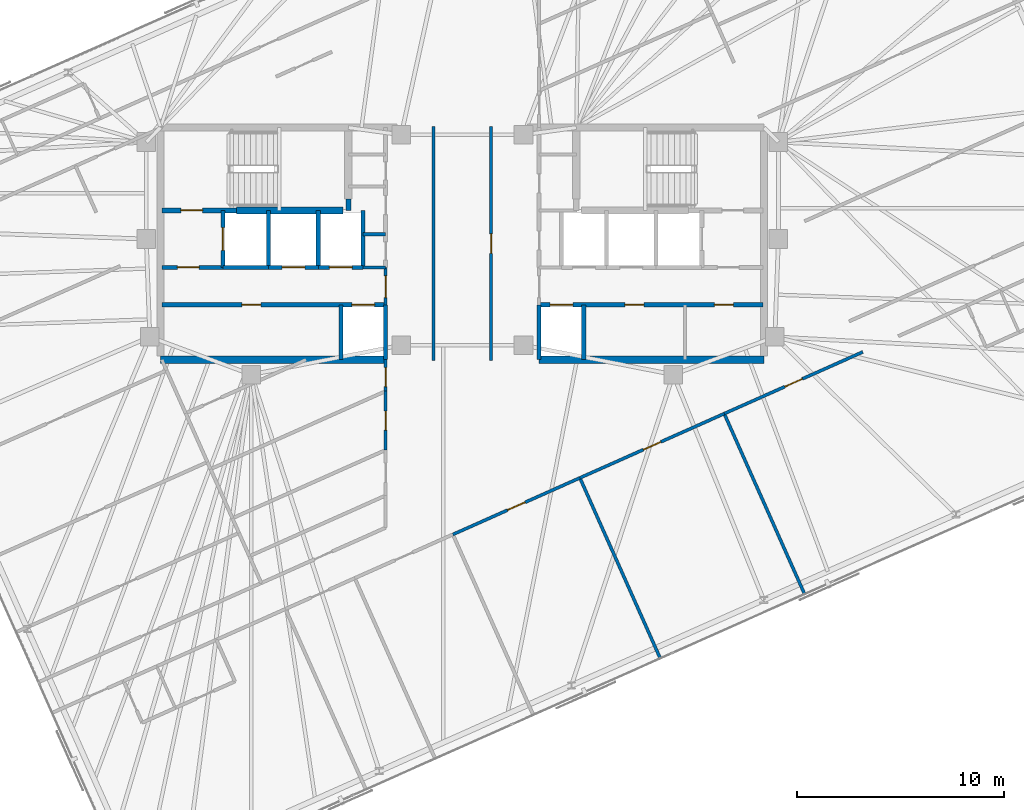
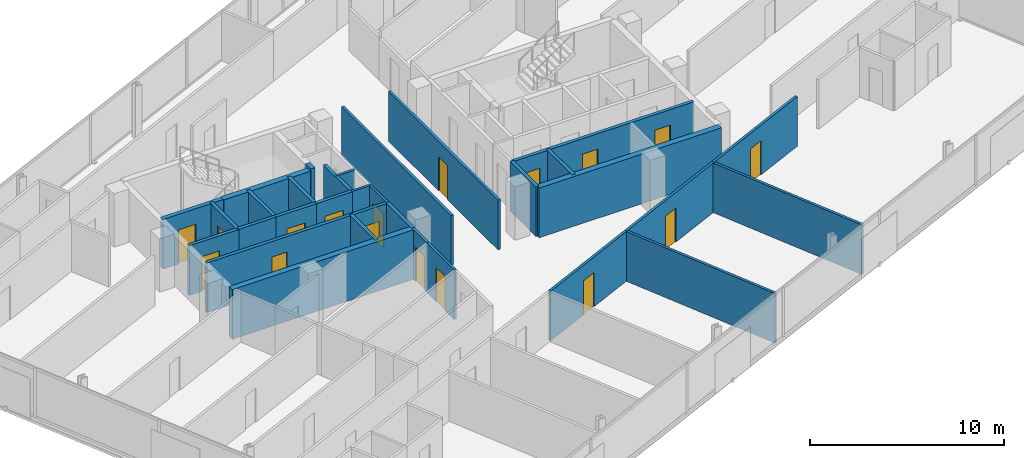
# One storey, part 14 of 19: 31 walls, 17 doors, 17 openings.
"""IFC4 building model written with IfcOpenShell, lengths in metres."""

from ifc_helpers import new_model, si_unit, direction, frame, frame_2d, origin, place, context, subcontext, project, spatial, rectangle, extrude, material, layer, layer_set, type_object, element, fill, save


model = new_model("IFC4")

# Units and contexts
model_context = context("Model", 3, precision=1e-05, world=origin(), true_north=direction((0.0, 1.0)))
body_context = subcontext(model_context, "Body", "Model", "MODEL_VIEW")
ifc_project = project(units=[si_unit("LENGTHUNIT", "METRE"), si_unit("AREAUNIT", "SQUARE_METRE"), si_unit("VOLUMEUNIT", "CUBIC_METRE"), si_unit("PLANEANGLEUNIT", "RADIAN"), si_unit("MASSUNIT", "GRAM", prefix="KILO")], contexts=[model_context])

# Site, building, storey
site_placement = place(None, origin())
site = spatial("IfcSite", under=ifc_project, at=site_placement, CompositionType="ELEMENT")
building_placement = place(site_placement, origin())
building = spatial("IfcBuilding", under=site, at=building_placement, Name="Menara Jurai Vektor", CompositionType="ELEMENT")
storey_placement = place(building_placement, frame((0.0, 0.0, 288.60009765625)))
storey = spatial("IfcBuildingStorey", under=building, at=storey_placement, Name="L77", CompositionType="ELEMENT", Elevation=288.60009765625)

# Wall, opening, door
ifc_material_1 = material(Name="Concrete C40/50", Category="concrete")
ifc_layer_1 = layer(ifc_material_1, 0.25)
ifc_layer_set_1 = layer_set([ifc_layer_1], Name="Concrete C40/50")
wall_type_1 = type_object("IfcWallType", Name="INT-WALL-CORE-250", PredefinedType="STANDARD", material=ifc_layer_set_1)
wall_1_placement = place(storey_placement, frame((-14.5, 1.60009765625, 0.0), z_axis=(0.0, 0.0, 1.0), x_axis=(1.0, 0.0, 0.0)))
wall_1 = element("IfcWall", 1, at=wall_1_placement, inside=storey, type_object=wall_type_1, Name="Interior Wall IW-250 L77", PredefinedType="STANDARD", context=body_context, shape_type="SweptSolid", body=[
    extrude(rectangle(XDim=3.60009765625, YDim=0.25, at=frame_2d((1.800048828125, 0.0))), origin(), (0.0, 0.0, 1.0), 3.125),
])
opening_1_placement = place(wall_1_placement, frame((0.919921875, 0.0, 0.0)))
opening_1 = element("IfcOpeningElement", 2, at=opening_1_placement, cuts=wall_1, Name="Opening D-L77-ST1", PredefinedType="OPENING", context=body_context, shape_type="SweptSolid", body=[
    extrude(rectangle(XDim=1.050048828125, YDim=2.14990234375, at=frame_2d((0.52490234375, 1.074951171875))), frame((0.0, 0.135009765625, 0.0), z_axis=(0.0, -1.0, 0.0), x_axis=(1.0, 0.0, 0.0)), (0.0, 0.0, 1.0), 0.27001953125),
])
ifc_material_2 = material(Name="Fire-Rated Steel Door", Category="steel")
door_type_1 = type_object("IfcDoorType", Name="DR-STAIR-1050", OperationType="NOTDEFINED", PredefinedType="DOOR", material=ifc_material_2)
door_1_placement = place(opening_1_placement, origin())
door_1 = element("IfcDoor", 3, at=door_1_placement, inside=storey, type_object=door_type_1, Name="Exit Stair ST1 Door L77", OperationType="SINGLE_SWING_RIGHT", OverallHeight=2.14990234375, OverallWidth=1.050048828125, PredefinedType="DOOR", context=body_context, shape_type="SweptSolid", body=[
    extrude(rectangle(XDim=1.050048828125, YDim=2.14990234375, at=frame_2d((0.52490234375, 1.074951171875))), frame((0.0, 0.02490234375, 0.0), z_axis=(0.0, -1.0, 0.0), x_axis=(1.0, 0.0, 0.0)), (0.0, 0.0, 1.0), 0.050048828125),
])
fill(opening_1, door_1)

# Wall
wall_2_placement = place(storey_placement, frame((-5.5, 1.60009765625, 0.0), z_axis=(0.0, 0.0, 1.0), x_axis=(0.0, 1.0, 0.0)))
element("IfcWall", 4, at=wall_2_placement, inside=storey, type_object=wall_type_1, Name="Interior Wall IW-250 L77", PredefinedType="STANDARD", context=body_context, shape_type="SweptSolid", body=[
    extrude(rectangle(XDim=0.5498046875, YDim=0.25, at=frame_2d((0.27490234375, 0.0))), origin(), (0.0, 0.0, 1.0), 3.125),
])

# Wall, opening, door
wall_3_placement = place(storey_placement, frame((-11.550048828125, -1.14990234375, 0.0), z_axis=(0.0, 0.0, 1.0), x_axis=(0.0, 1.0, 0.0)))
wall_3 = element("IfcWall", 5, at=wall_3_placement, inside=storey, type_object=wall_type_1, Name="Interior Wall IW-250 L77", PredefinedType="STANDARD", context=body_context, shape_type="SweptSolid", body=[
    extrude(rectangle(XDim=2.75, YDim=0.199951171875, at=frame_2d((1.375, 0.0))), origin(), (0.0, 0.0, 1.0), 3.125),
])
opening_2_placement = place(wall_3_placement, frame((0.824951171875, 0.0, 0.0)))
opening_2 = element("IfcOpeningElement", 6, at=opening_2_placement, cuts=wall_3, Name="Opening LD-L77-FL1", PredefinedType="OPENING", context=body_context, shape_type="SweptSolid", body=[
    extrude(rectangle(XDim=1.10009765625, YDim=2.14990234375, at=frame_2d((0.550048828125, 1.074951171875))), frame((0.0, 0.10986328125, 0.0), z_axis=(0.0, -1.0, 0.0), x_axis=(1.0, 0.0, 0.0)), (0.0, 0.0, 1.0), 0.219970703125),
])
ifc_material_3 = material(Name="Stainless Steel Sliding Lift Landing Door", Category="steel")
door_type_2 = type_object("IfcDoorType", Name="DR-LIFT-FIRE-1100", OperationType="NOTDEFINED", PredefinedType="DOOR", material=ifc_material_3)
door_2_placement = place(opening_2_placement, origin())
door_2 = element("IfcDoor", 7, at=door_2_placement, inside=storey, type_object=door_type_2, Name="Lift Landing Door FL1 L77", OperationType="SLIDING_TO_RIGHT", OverallHeight=2.14990234375, OverallWidth=1.10009765625, PredefinedType="DOOR", context=body_context, shape_type="SweptSolid", body=[
    extrude(rectangle(XDim=1.10009765625, YDim=2.14990234375, at=frame_2d((0.550048828125, 1.074951171875))), frame((0.0, 0.02490234375, 0.0), z_axis=(0.0, -1.0, 0.0), x_axis=(1.0, 0.0, 0.0)), (0.0, 0.0, 1.0), 0.050048828125),
])
fill(opening_2, door_2)

# Wall
wall_4_placement = place(storey_placement, frame((-9.35009765625, -1.14990234375, 0.0), z_axis=(0.0, 0.0, 1.0), x_axis=(0.0, 1.0, 0.0)))
element("IfcWall", 8, at=wall_4_placement, inside=storey, type_object=wall_type_1, Name="Interior Wall IW-250 L77", PredefinedType="STANDARD", context=body_context, shape_type="SweptSolid", body=[
    extrude(rectangle(XDim=2.75, YDim=0.199951171875, at=frame_2d((1.375, 0.0))), origin(), (0.0, 0.0, 1.0), 3.125),
])

# Wall, opening, door
wall_5_placement = place(storey_placement, frame((-14.5, -1.14990234375, 0.0), z_axis=(0.0, 0.0, 1.0), x_axis=(1.0, 0.0, 0.0)))
wall_5 = element("IfcWall", 9, at=wall_5_placement, inside=storey, type_object=wall_type_1, Name="Interior Wall IW-250 L77", PredefinedType="STANDARD", context=body_context, shape_type="SweptSolid", body=[
    extrude(rectangle(XDim=2.949951171875, YDim=0.199951171875, at=frame_2d((1.47509765625, 0.0))), origin(), (0.0, 0.0, 1.0), 3.125),
])
opening_3_placement = place(wall_5_placement, frame((0.75, 0.0, 0.0)))
opening_3 = element("IfcOpeningElement", 10, at=opening_3_placement, cuts=wall_5, Name="Opening D-L77-FFW", PredefinedType="OPENING", context=body_context, shape_type="SweptSolid", body=[
    extrude(rectangle(XDim=1.050048828125, YDim=2.179931640625, at=frame_2d((0.52490234375, 1.08984375))), frame((0.0, 0.10986328125, 0.0), z_axis=(0.0, -1.0, 0.0), x_axis=(1.0, 0.0, 0.0)), (0.0, 0.0, 1.0), 0.219970703125),
])
ifc_material_4 = material(Name="Fire-Rated Timber Door", Category="wood")
door_type_3 = type_object("IfcDoorType", Name="DR-LOBBY-1050", OperationType="NOTDEFINED", PredefinedType="DOOR", material=ifc_material_4)
door_3_placement = place(opening_3_placement, origin())
door_3 = element("IfcDoor", 11, at=door_3_placement, inside=storey, type_object=door_type_3, Name="Fire Lift Lobby Door W L77", OperationType="SINGLE_SWING_RIGHT", OverallHeight=2.179931640625, OverallWidth=1.050048828125, PredefinedType="DOOR", context=body_context, shape_type="SweptSolid", body=[
    extrude(rectangle(XDim=1.050048828125, YDim=2.179931640625, at=frame_2d((0.52490234375, 1.08984375))), frame((0.0, 0.02490234375, 0.0), z_axis=(0.0, -1.0, 0.0), x_axis=(1.0, 0.0, 0.0)), (0.0, 0.0, 1.0), 0.050048828125),
])
fill(opening_3, door_3)

# Wall
wall_6_placement = place(storey_placement, frame((-11.550048828125, -1.14990234375, 0.0), z_axis=(0.0, 0.0, 1.0), x_axis=(1.0, 0.0, 0.0)))
element("IfcWall", 12, at=wall_6_placement, inside=storey, type_object=wall_type_1, Name="Interior Wall IW-250 L77", PredefinedType="STANDARD", context=body_context, shape_type="SweptSolid", body=[
    extrude(rectangle(XDim=2.199951171875, YDim=0.199951171875, at=frame_2d((1.10009765625, 0.0))), origin(), (0.0, 0.0, 1.0), 3.125),
])

# Wall, opening, door
ifc_material_5 = material(Name="Gypsum Fireboard Partition", Category="gypsum")
ifc_layer_2 = layer(ifc_material_5, 0.14990234375)
ifc_layer_set_2 = layer_set([ifc_layer_2], Name="Gypsum Fireboard Partition")
wall_type_2 = type_object("IfcWallType", Name="INT-WALL-CORR-150", PredefinedType="PARTITIONING", material=ifc_layer_set_2)
wall_7_placement = place(storey_placement, frame((-3.699951171875, -2.949951171875, 0.0), z_axis=(0.0, 0.0, 1.0), x_axis=(0.0, 1.0, 0.0)))
wall_7 = element("IfcWall", 13, at=wall_7_placement, inside=storey, type_object=wall_type_2, Name="Interior Wall IW-150 L77", PredefinedType="PARTITIONING", context=body_context, shape_type="SweptSolid", body=[
    extrude(rectangle(XDim=1.800048828125, YDim=0.14990234375, at=frame_2d((0.89990234375, 0.0))), origin(), (0.0, 0.0, 1.0), 3.125),
])
opening_4_placement = place(wall_7_placement, frame((0.35009765625, 0.0, 0.0)))
opening_4 = element("IfcOpeningElement", 14, at=opening_4_placement, cuts=wall_7, Name="Opening D-L77-LLW", PredefinedType="OPENING", context=body_context, shape_type="SweptSolid", body=[
    extrude(rectangle(XDim=1.050048828125, YDim=2.179931640625, at=frame_2d((0.52490234375, 1.08984375))), frame((0.0, 0.0849609375, 0.0), z_axis=(0.0, -1.0, 0.0), x_axis=(1.0, 0.0, 0.0)), (0.0, 0.0, 1.0), 0.169921875),
])
door_4_placement = place(opening_4_placement, origin())
door_4 = element("IfcDoor", 15, at=door_4_placement, inside=storey, type_object=door_type_3, Name="Lift Lobby Corridor Door W L77", OperationType="SINGLE_SWING_LEFT", OverallHeight=2.179931640625, OverallWidth=1.050048828125, PredefinedType="DOOR", context=body_context, shape_type="SweptSolid", body=[
    extrude(rectangle(XDim=1.050048828125, YDim=2.179931640625, at=frame_2d((0.52490234375, 1.08984375))), frame((0.0, 0.02490234375, 0.0), z_axis=(0.0, -1.0, 0.0), x_axis=(1.0, 0.0, 0.0)), (0.0, 0.0, 1.0), 0.050048828125),
])
fill(opening_4, door_4)

# Walls
for number, where, z_axis, x_axis, name in (
    (16, (-4.7900390625, -1.14990234375, 0.0), (0.0, 0.0, 1.0), (1.0, 0.0, 0.0), "Interior Wall IW-150 L77"),
    (17, (-4.7900390625, 0.449951171875, 0.0), (0.0, 0.0, 1.0), (1.0, 0.0, 0.0), "Interior Wall IW-150 L77"),
):
    element("IfcWall", number, at=place(storey_placement, frame(where, z_axis=z_axis, x_axis=x_axis)), inside=storey, type_object=wall_type_2, Name=name, PredefinedType="PARTITIONING", context=body_context, shape_type="SweptSolid", body=[
        extrude(rectangle(XDim=1.090087890625, YDim=0.14990234375, at=frame_2d((0.544921875, 0.0))), origin(), (0.0, 0.0, 1.0), 3.125),
    ])
wall_8_placement = place(storey_placement, frame((-1.390869140625, -5.64990234375, 0.0), z_axis=(0.0, 0.0, 1.0), x_axis=(-2.1605738e-05, 0.999999999767, 0.0)))
element("IfcWall", 18, at=wall_8_placement, inside=storey, type_object=wall_type_2, Name="Interior Wall IW-150 L77", PredefinedType="PARTITIONING", context=body_context, shape_type="SweptSolid", body=[
    extrude(rectangle(XDim=11.2998046875, YDim=0.14990234375, at=frame_2d((5.64990234375, 0.0))), origin(), (0.0, 0.0, 1.0), 3.125),
])

# Wall, opening, door
wall_9_placement = place(storey_placement, frame((1.390869140625, -5.650390625, 0.0), z_axis=(0.0, 0.0, 1.0), x_axis=(4.3206809e-05, 0.999999999067, 0.0)))
wall_9 = element("IfcWall", 19, at=wall_9_placement, inside=storey, type_object=wall_type_2, Name="Interior Wall IW-150 L77", PredefinedType="PARTITIONING", context=body_context, shape_type="SweptSolid", body=[
    extrude(rectangle(XDim=11.301025390625, YDim=0.14990234375, at=frame_2d((5.650390625, 0.0))), origin(), (0.0, 0.0, 1.0), 3.125),
])
opening_5_placement = place(wall_9_placement, frame((5.175537109375, 0.0, 0.0)))
opening_5 = element("IfcOpeningElement", 20, at=opening_5_placement, cuts=wall_9, Name="Opening D77-09", PredefinedType="OPENING", context=body_context, shape_type="SweptSolid", body=[
    extrude(rectangle(XDim=0.949951171875, YDim=2.14990234375, at=frame_2d((0.47509765625, 1.074951171875))), frame((0.0, 0.0849609375, 0.0), z_axis=(0.0, -1.0, 0.0), x_axis=(1.0, 0.0, 0.0)), (0.0, 0.0, 1.0), 0.169921875),
])
ifc_material_6 = material(Name="Solid Core Timber Fire Door", Category="wood")
door_type_4 = type_object("IfcDoorType", Name="DR-ENTRY-950", OperationType="NOTDEFINED", PredefinedType="DOOR", material=ifc_material_6)
door_5_placement = place(opening_5_placement, origin())
door_5 = element("IfcDoor", 21, at=door_5_placement, inside=storey, type_object=door_type_4, Name="Interior Door D77-09", OperationType="SINGLE_SWING_LEFT", OverallHeight=2.14990234375, OverallWidth=0.949951171875, PredefinedType="DOOR", context=body_context, shape_type="SweptSolid", body=[
    extrude(rectangle(XDim=0.949951171875, YDim=2.14990234375, at=frame_2d((0.47509765625, 1.074951171875))), frame((0.0, 0.02490234375, 0.0), z_axis=(0.0, -1.0, 0.0), x_axis=(1.0, 0.0, 0.0)), (0.0, 0.0, 1.0), 0.050048828125),
])
fill(opening_5, door_5)

wall_10_placement = place(storey_placement, frame((-0.455810546875, -14.0322265625, 0.0), z_axis=(0.0, 0.0, 1.0), x_axis=(0.913541200883, 0.40674620378, 0.0)))
wall_10 = element("IfcWall", 22, at=wall_10_placement, inside=storey, type_object=wall_type_2, Name="Interior Wall IW-150 L77", PredefinedType="PARTITIONING", context=body_context, shape_type="SweptSolid", body=[
    extrude(rectangle(XDim=6.708251953125, YDim=0.14990234375, at=frame_2d((3.35400390625, 0.0))), origin(), (0.0, 0.0, 1.0), 3.125),
])
opening_6_placement = place(wall_10_placement, frame((2.89404296875, 0.0, 0.0)))
opening_6 = element("IfcOpeningElement", 23, at=opening_6_placement, cuts=wall_10, Name="Opening D77-29", PredefinedType="OPENING", context=body_context, shape_type="SweptSolid", body=[
    extrude(rectangle(XDim=0.919921875, YDim=2.14990234375, at=frame_2d((0.4599609375, 1.074951171875))), frame((0.0, 0.0849609375, 0.0), z_axis=(0.0, -1.0, 0.0), x_axis=(1.0, 0.0, 0.0)), (0.0, 0.0, 1.0), 0.169921875),
])
door_6_placement = place(opening_6_placement, origin())
door_6 = element("IfcDoor", 24, at=door_6_placement, inside=storey, type_object=door_type_4, Name="Interior Door D77-29", OperationType="SINGLE_SWING_LEFT", OverallHeight=2.14990234375, OverallWidth=0.919921875, PredefinedType="DOOR", context=body_context, shape_type="SweptSolid", body=[
    extrude(rectangle(XDim=0.919921875, YDim=2.14990234375, at=frame_2d((0.4599609375, 1.074951171875))), frame((0.0, 0.02490234375, 0.0), z_axis=(0.0, -1.0, 0.0), x_axis=(1.0, 0.0, 0.0)), (0.0, 0.0, 1.0), 0.050048828125),
])
fill(opening_6, door_6)

wall_11_placement = place(storey_placement, frame((5.67236328125, -11.3037109375, 0.0), z_axis=(0.0, 0.0, 1.0), x_axis=(0.913549829505, 0.40672682357, 0.0)))
wall_11 = element("IfcWall", 25, at=wall_11_placement, inside=storey, type_object=wall_type_2, Name="Interior Wall IW-150 L77", PredefinedType="PARTITIONING", context=body_context, shape_type="SweptSolid", body=[
    extrude(rectangle(XDim=7.6220703125, YDim=0.14990234375, at=frame_2d((3.81103515625, 0.0))), origin(), (0.0, 0.0, 1.0), 3.125),
])
opening_7_placement = place(wall_11_placement, frame((3.35107421875, 0.0, 0.0)))
opening_7 = element("IfcOpeningElement", 26, at=opening_7_placement, cuts=wall_11, Name="Opening D77-30", PredefinedType="OPENING", context=body_context, shape_type="SweptSolid", body=[
    extrude(rectangle(XDim=0.919921875, YDim=2.14990234375, at=frame_2d((0.4599609375, 1.074951171875))), frame((0.0, 0.0849609375, 0.0), z_axis=(0.0, -1.0, 0.0), x_axis=(1.0, 0.0, 0.0)), (0.0, 0.0, 1.0), 0.169921875),
])
door_7_placement = place(opening_7_placement, origin())
door_7 = element("IfcDoor", 27, at=door_7_placement, inside=storey, type_object=door_type_4, Name="Interior Door D77-30", OperationType="SINGLE_SWING_RIGHT", OverallHeight=2.14990234375, OverallWidth=0.919921875, PredefinedType="DOOR", context=body_context, shape_type="SweptSolid", body=[
    extrude(rectangle(XDim=0.919921875, YDim=2.14990234375, at=frame_2d((0.4599609375, 1.074951171875))), frame((0.0, 0.02490234375, 0.0), z_axis=(0.0, -1.0, 0.0), x_axis=(1.0, 0.0, 0.0)), (0.0, 0.0, 1.0), 0.050048828125),
])
fill(opening_7, door_7)

wall_12_placement = place(storey_placement, frame((12.635498046875, -8.20361328125, 0.0), z_axis=(0.0, 0.0, 1.0), x_axis=(0.913541702649, 0.406745076825, 0.0)))
wall_12 = element("IfcWall", 28, at=wall_12_placement, inside=storey, type_object=wall_type_2, Name="Interior Wall IW-150 L77", PredefinedType="PARTITIONING", context=body_context, shape_type="SweptSolid", body=[
    extrude(rectangle(XDim=7.318115234375, YDim=0.14990234375, at=frame_2d((3.6591796875, 0.0))), origin(), (0.0, 0.0, 1.0), 3.125),
])
opening_8_placement = place(wall_12_placement, frame((3.198974609375, 0.0, 0.0)))
opening_8 = element("IfcOpeningElement", 29, at=opening_8_placement, cuts=wall_12, Name="Opening D77-31", PredefinedType="OPENING", context=body_context, shape_type="SweptSolid", body=[
    extrude(rectangle(XDim=0.919921875, YDim=2.14990234375, at=frame_2d((0.4599609375, 1.074951171875))), frame((0.0, 0.0849609375, 0.0), z_axis=(0.0, -1.0, 0.0), x_axis=(1.0, 0.0, 0.0)), (0.0, 0.0, 1.0), 0.169921875),
])
door_8_placement = place(opening_8_placement, origin())
door_8 = element("IfcDoor", 30, at=door_8_placement, inside=storey, type_object=door_type_4, Name="Interior Door D77-31", OperationType="SINGLE_SWING_LEFT", OverallHeight=2.14990234375, OverallWidth=0.919921875, PredefinedType="DOOR", context=body_context, shape_type="SweptSolid", body=[
    extrude(rectangle(XDim=0.919921875, YDim=2.14990234375, at=frame_2d((0.4599609375, 1.074951171875))), frame((0.0, 0.02490234375, 0.0), z_axis=(0.0, -1.0, 0.0), x_axis=(1.0, 0.0, 0.0)), (0.0, 0.0, 1.0), 0.050048828125),
])
fill(opening_8, door_8)

wall_13_placement = place(storey_placement, frame((-3.699951171875, -9.95849609375, 0.0), z_axis=(0.0, 0.0, 1.0), x_axis=(-0.000171909917, 0.999999985223, 0.0)))
wall_13 = element("IfcWall", 31, at=wall_13_placement, inside=storey, type_object=wall_type_2, Name="Interior Wall IW-150 L77", PredefinedType="PARTITIONING", context=body_context, shape_type="SweptSolid", body=[
    extrude(rectangle(XDim=2.84033203125, YDim=0.14990234375, at=frame_2d((1.420166015625, 0.0))), origin(), (0.0, 0.0, 1.0), 3.125),
])
opening_9_placement = place(wall_13_placement, frame((0.960205078125, 0.0, 0.0)))
opening_9 = element("IfcOpeningElement", 32, at=opening_9_placement, cuts=wall_13, Name="Opening D77-34", PredefinedType="OPENING", context=body_context, shape_type="SweptSolid", body=[
    extrude(rectangle(XDim=0.919921875, YDim=2.14990234375, at=frame_2d((0.4599609375, 1.074951171875))), frame((0.0, 0.0849609375, 0.0), z_axis=(0.0, -1.0, 0.0), x_axis=(1.0, 0.0, 0.0)), (0.0, 0.0, 1.0), 0.169921875),
])
door_9_placement = place(opening_9_placement, origin())
door_9 = element("IfcDoor", 33, at=door_9_placement, inside=storey, type_object=door_type_4, Name="Interior Door D77-34", OperationType="SINGLE_SWING_RIGHT", OverallHeight=2.14990234375, OverallWidth=0.919921875, PredefinedType="DOOR", context=body_context, shape_type="SweptSolid", body=[
    extrude(rectangle(XDim=0.919921875, YDim=2.14990234375, at=frame_2d((0.4599609375, 1.074951171875))), frame((0.0, 0.02490234375, 0.0), z_axis=(0.0, -1.0, 0.0), x_axis=(1.0, 0.0, 0.0)), (0.0, 0.0, 1.0), 0.050048828125),
])
fill(opening_9, door_9)

wall_14_placement = place(storey_placement, frame((-3.700439453125, -7.1181640625, 0.0), z_axis=(0.0, 0.0, 1.0), x_axis=(0.000321543392, 0.999999948305, 0.0)))
wall_14 = element("IfcWall", 34, at=wall_14_placement, inside=storey, type_object=wall_type_2, Name="Interior Wall IW-150 L77", PredefinedType="PARTITIONING", context=body_context, shape_type="SweptSolid", body=[
    extrude(rectangle(XDim=1.5185546875, YDim=0.14990234375, at=frame_2d((0.75927734375, 0.0))), origin(), (0.0, 0.0, 1.0), 3.125),
])
opening_10_placement = place(wall_14_placement, frame((0.219970703125, 0.0, 0.0)))
opening_10 = element("IfcOpeningElement", 35, at=opening_10_placement, cuts=wall_14, Name="Opening D77-35", PredefinedType="OPENING", context=body_context, shape_type="SweptSolid", body=[
    extrude(rectangle(XDim=0.919921875, YDim=2.14990234375, at=frame_2d((0.4599609375, 1.074951171875))), frame((0.0, 0.0849609375, 0.0), z_axis=(0.0, -1.0, 0.0), x_axis=(1.0, 0.0, 0.0)), (0.0, 0.0, 1.0), 0.169921875),
])
door_10_placement = place(opening_10_placement, origin())
door_10 = element("IfcDoor", 36, at=door_10_placement, inside=storey, type_object=door_type_4, Name="Interior Door D77-35", OperationType="SINGLE_SWING_LEFT", OverallHeight=2.14990234375, OverallWidth=0.919921875, PredefinedType="DOOR", context=body_context, shape_type="SweptSolid", body=[
    extrude(rectangle(XDim=0.919921875, YDim=2.14990234375, at=frame_2d((0.4599609375, 1.074951171875))), frame((0.0, 0.02490234375, 0.0), z_axis=(0.0, -1.0, 0.0), x_axis=(1.0, 0.0, 0.0)), (0.0, 0.0, 1.0), 0.050048828125),
])
fill(opening_10, door_10)

# Walls
for number, where, z_axis, x_axis, name in (
    (37, (9.550537109375, -20.014404296875, 0.0), (0.0, 0.0, 1.0), (-0.406729927653, 0.913548447512, 0.0), "Interior Wall IW-150 L77"),
    (38, (16.513671875, -16.914306640625, 0.0), (0.0, 0.0, 1.0), (-0.406729927653, 0.913548447512, 0.0), "Interior Wall IW-150 L77"),
):
    element("IfcWall", number, at=place(storey_placement, frame(where, z_axis=z_axis, x_axis=x_axis)), inside=storey, type_object=wall_type_2, Name=name, PredefinedType="PARTITIONING", context=body_context, shape_type="SweptSolid", body=[
        extrude(rectangle(XDim=9.534912109375, YDim=0.14990234375, at=frame_2d((4.767578125, 0.0))), origin(), (0.0, 0.0, 1.0), 3.125),
    ])
ifc_layer_3 = layer(ifc_material_1, 0.199951171875)
ifc_layer_set_3 = layer_set([ifc_layer_3], Name="Concrete C40/50")
wall_type_3 = type_object("IfcWallType", Name="INT-WALL-SHAFT-200", PredefinedType="STANDARD", material=ifc_layer_set_3)
wall_15_placement = place(storey_placement, frame((-3.699951171875, -5.60009765625, 0.0), z_axis=(0.0, 0.0, 1.0), x_axis=(0.0, 1.0, 0.0)))
element("IfcWall", 39, at=wall_15_placement, inside=storey, type_object=wall_type_3, Name="Interior Wall IW-200 L77", PredefinedType="STANDARD", context=body_context, shape_type="SweptSolid", body=[
    extrude(rectangle(XDim=2.650146484375, YDim=0.199951171875, at=frame_2d((1.3251953125, 0.0))), origin(), (0.0, 0.0, 1.0), 3.125),
])
wall_16_placement = place(storey_placement, frame((-6.949951171875, -1.14990234375, 0.0), z_axis=(0.0, 0.0, 1.0), x_axis=(0.0, 1.0, 0.0)))
element("IfcWall", 40, at=wall_16_placement, inside=storey, type_object=wall_type_3, Name="Interior Wall IW-200 L77", PredefinedType="STANDARD", context=body_context, shape_type="SweptSolid", body=[
    extrude(rectangle(XDim=2.75, YDim=0.199951171875, at=frame_2d((1.375, 0.0))), origin(), (0.0, 0.0, 1.0), 3.125),
])

# Wall, opening, door
wall_17_placement = place(storey_placement, frame((-9.35009765625, -1.14990234375, 0.0), z_axis=(0.0, 0.0, 1.0), x_axis=(1.0, 0.0, 0.0)))
wall_17 = element("IfcWall", 41, at=wall_17_placement, inside=storey, type_object=wall_type_3, Name="Interior Wall IW-200 L77", PredefinedType="STANDARD", context=body_context, shape_type="SweptSolid", body=[
    extrude(rectangle(XDim=2.400146484375, YDim=0.199951171875, at=frame_2d((1.2001953125, 0.0))), origin(), (0.0, 0.0, 1.0), 3.125),
])
opening_11_placement = place(wall_17_placement, frame((0.64990234375, 0.0, 0.0)))
opening_11 = element("IfcOpeningElement", 42, at=opening_11_placement, cuts=wall_17, Name="Opening LD-L77-SVL1", PredefinedType="OPENING", context=body_context, shape_type="SweptSolid", body=[
    extrude(rectangle(XDim=1.10009765625, YDim=2.14990234375, at=frame_2d((0.550048828125, 1.074951171875))), frame((0.0, 0.10986328125, 0.0), z_axis=(0.0, -1.0, 0.0), x_axis=(1.0, 0.0, 0.0)), (0.0, 0.0, 1.0), 0.219970703125),
])
ifc_material_7 = material(Name="Anodised Stainless Sliding Lift Landing Door", Category="steel")
door_type_5 = type_object("IfcDoorType", Name="DR-LIFT-PASS-1100", OperationType="NOTDEFINED", PredefinedType="DOOR", material=ifc_material_7)
door_11_placement = place(opening_11_placement, origin())
door_11 = element("IfcDoor", 43, at=door_11_placement, inside=storey, type_object=door_type_5, Name="Lift Landing Door SVL1 L77", OperationType="SLIDING_TO_RIGHT", OverallHeight=2.14990234375, OverallWidth=1.10009765625, PredefinedType="DOOR", context=body_context, shape_type="SweptSolid", body=[
    extrude(rectangle(XDim=1.10009765625, YDim=2.14990234375, at=frame_2d((0.550048828125, 1.074951171875))), frame((0.0, 0.02490234375, 0.0), z_axis=(0.0, -1.0, 0.0), x_axis=(1.0, 0.0, 0.0)), (0.0, 0.0, 1.0), 0.050048828125),
])
fill(opening_11, door_11)

# Wall
wall_18_placement = place(storey_placement, frame((-4.7900390625, -1.14990234375, 0.0), z_axis=(0.0, 0.0, 1.0), x_axis=(0.0, 1.0, 0.0)))
element("IfcWall", 44, at=wall_18_placement, inside=storey, type_object=wall_type_3, Name="Interior Wall IW-200 L77", PredefinedType="STANDARD", context=body_context, shape_type="SweptSolid", body=[
    extrude(rectangle(XDim=2.75, YDim=0.199951171875, at=frame_2d((1.375, 0.0))), origin(), (0.0, 0.0, 1.0), 3.125),
])

# Wall, opening, door
wall_19_placement = place(storey_placement, frame((-6.949951171875, -1.14990234375, 0.0), z_axis=(0.0, 0.0, 1.0), x_axis=(1.0, 0.0, 0.0)))
wall_19 = element("IfcWall", 45, at=wall_19_placement, inside=storey, type_object=wall_type_3, Name="Interior Wall IW-200 L77", PredefinedType="STANDARD", context=body_context, shape_type="SweptSolid", body=[
    extrude(rectangle(XDim=2.159912109375, YDim=0.199951171875, at=frame_2d((1.080078125, 0.0))), origin(), (0.0, 0.0, 1.0), 3.125),
])
opening_12_placement = place(wall_19_placement, frame((0.530029296875, 0.0, 0.0)))
opening_12 = element("IfcOpeningElement", 46, at=opening_12_placement, cuts=wall_19, Name="Opening LD-L77-PH2", PredefinedType="OPENING", context=body_context, shape_type="SweptSolid", body=[
    extrude(rectangle(XDim=1.10009765625, YDim=2.14990234375, at=frame_2d((0.550048828125, 1.074951171875))), frame((0.0, 0.10986328125, 0.0), z_axis=(0.0, -1.0, 0.0), x_axis=(1.0, 0.0, 0.0)), (0.0, 0.0, 1.0), 0.219970703125),
])
door_12_placement = place(opening_12_placement, origin())
door_12 = element("IfcDoor", 47, at=door_12_placement, inside=storey, type_object=door_type_5, Name="Lift Landing Door PH2 L77", OperationType="SLIDING_TO_RIGHT", OverallHeight=2.14990234375, OverallWidth=1.10009765625, PredefinedType="DOOR", context=body_context, shape_type="SweptSolid", body=[
    extrude(rectangle(XDim=1.10009765625, YDim=2.14990234375, at=frame_2d((0.550048828125, 1.074951171875))), frame((0.0, 0.02490234375, 0.0), z_axis=(0.0, -1.0, 0.0), x_axis=(1.0, 0.0, 0.0)), (0.0, 0.0, 1.0), 0.050048828125),
])
fill(opening_12, door_12)

# Wall, openings, doors
wall_20_placement = place(storey_placement, frame((-14.5, -2.949951171875, 0.0), z_axis=(0.0, 0.0, 1.0), x_axis=(1.0, 0.0, 0.0)))
wall_20 = element("IfcWall", 48, at=wall_20_placement, inside=storey, type_object=wall_type_3, Name="Interior Wall IW-200 L77", PredefinedType="STANDARD", context=body_context, shape_type="SweptSolid", body=[
    extrude(rectangle(XDim=10.800048828125, YDim=0.199951171875, at=frame_2d((5.39990234375, 0.0))), origin(), (0.0, 0.0, 1.0), 3.125),
])
opening_13_placement = place(wall_20_placement, frame((9.169921875, 0.0, 0.0)))
opening_13 = element("IfcOpeningElement", 49, at=opening_13_placement, cuts=wall_20, Name="Opening LD-L77-PH1", PredefinedType="OPENING", context=body_context, shape_type="SweptSolid", body=[
    extrude(rectangle(XDim=1.10009765625, YDim=2.14990234375, at=frame_2d((0.550048828125, 1.074951171875))), frame((0.0, 0.10986328125, 0.0), z_axis=(0.0, -1.0, 0.0), x_axis=(1.0, 0.0, 0.0)), (0.0, 0.0, 1.0), 0.219970703125),
])
opening_14_placement = place(wall_20_placement, frame((3.860107421875, 0.0, 0.0)))
opening_14 = element("IfcOpeningElement", 50, at=opening_14_placement, cuts=wall_20, Name="Opening D77-01", PredefinedType="OPENING", context=body_context, shape_type="SweptSolid", body=[
    extrude(rectangle(XDim=0.919921875, YDim=2.14990234375, at=frame_2d((0.4599609375, 1.074951171875))), frame((0.0, 0.10986328125, 0.0), z_axis=(0.0, -1.0, 0.0), x_axis=(1.0, 0.0, 0.0)), (0.0, 0.0, 1.0), 0.219970703125),
])
door_13_placement = place(opening_14_placement, origin())
door_13 = element("IfcDoor", 51, at=door_13_placement, inside=storey, type_object=door_type_4, Name="Interior Door D77-01", OperationType="SINGLE_SWING_LEFT", OverallHeight=2.14990234375, OverallWidth=0.919921875, PredefinedType="DOOR", context=body_context, shape_type="SweptSolid", body=[
    extrude(rectangle(XDim=0.919921875, YDim=2.14990234375, at=frame_2d((0.4599609375, 1.074951171875))), frame((0.0, 0.02490234375, 0.0), z_axis=(0.0, -1.0, 0.0), x_axis=(1.0, 0.0, 0.0)), (0.0, 0.0, 1.0), 0.050048828125),
])
fill(opening_14, door_13)
door_14_placement = place(opening_13_placement, origin())
door_14 = element("IfcDoor", 52, at=door_14_placement, inside=storey, type_object=door_type_5, Name="Lift Landing Door PH1 L77", OperationType="SLIDING_TO_RIGHT", OverallHeight=2.14990234375, OverallWidth=1.10009765625, PredefinedType="DOOR", context=body_context, shape_type="SweptSolid", body=[
    extrude(rectangle(XDim=1.10009765625, YDim=2.14990234375, at=frame_2d((0.550048828125, 1.074951171875))), frame((0.0, 0.02490234375, 0.0), z_axis=(0.0, -1.0, 0.0), x_axis=(1.0, 0.0, 0.0)), (0.0, 0.0, 1.0), 0.050048828125),
])
fill(opening_13, door_14)

# Walls
for number, where, z_axis, x_axis, name in (
    (53, (-5.860107421875, -5.60009765625, 0.0), (0.0, 0.0, 1.0), (0.0, 1.0, 0.0), "Interior Wall IW-200 L77"),
    (54, (3.699951171875, -5.60009765625, 0.0), (0.0, 0.0, 1.0), (0.0, 1.0, 0.0), "Interior Wall IW-200 L77"),
):
    element("IfcWall", number, at=place(storey_placement, frame(where, z_axis=z_axis, x_axis=x_axis)), inside=storey, type_object=wall_type_3, Name=name, PredefinedType="STANDARD", context=body_context, shape_type="SweptSolid", body=[
        extrude(rectangle(XDim=2.650146484375, YDim=0.199951171875, at=frame_2d((1.3251953125, 0.0))), origin(), (0.0, 0.0, 1.0), 3.125),
    ])

# Wall, openings, doors
wall_21_placement = place(storey_placement, frame((3.699951171875, -2.949951171875, 0.0), z_axis=(0.0, 0.0, 1.0), x_axis=(1.0, 0.0, 0.0)))
wall_21 = element("IfcWall", 55, at=wall_21_placement, inside=storey, type_object=wall_type_3, Name="Interior Wall IW-200 L77", PredefinedType="STANDARD", context=body_context, shape_type="SweptSolid", body=[
    extrude(rectangle(XDim=10.800048828125, YDim=0.199951171875, at=frame_2d((5.39990234375, 0.0))), origin(), (0.0, 0.0, 1.0), 3.125),
])
opening_15_placement = place(wall_21_placement, frame((0.530029296875, 0.0, 0.0)))
opening_15 = element("IfcOpeningElement", 56, at=opening_15_placement, cuts=wall_21, Name="Opening LD-L77-PH3", PredefinedType="OPENING", context=body_context, shape_type="SweptSolid", body=[
    extrude(rectangle(XDim=1.10009765625, YDim=2.14990234375, at=frame_2d((0.550048828125, 1.074951171875))), frame((0.0, 0.10986328125, 0.0), z_axis=(0.0, -1.0, 0.0), x_axis=(1.0, 0.0, 0.0)), (0.0, 0.0, 1.0), 0.219970703125),
])
opening_16_placement = place(wall_21_placement, frame((4.139892578125, 0.0, 0.0)))
opening_16 = element("IfcOpeningElement", 57, at=opening_16_placement, cuts=wall_21, Name="Opening D77-05", PredefinedType="OPENING", context=body_context, shape_type="SweptSolid", body=[
    extrude(rectangle(XDim=0.919921875, YDim=2.14990234375, at=frame_2d((0.4599609375, 1.074951171875))), frame((0.0, 0.10986328125, 0.0), z_axis=(0.0, -1.0, 0.0), x_axis=(1.0, 0.0, 0.0)), (0.0, 0.0, 1.0), 0.219970703125),
])
opening_17_placement = place(wall_21_placement, frame((8.4599609375, 0.0, 0.0)))
opening_17 = element("IfcOpeningElement", 58, at=opening_17_placement, cuts=wall_21, Name="Opening D77-06", PredefinedType="OPENING", context=body_context, shape_type="SweptSolid", body=[
    extrude(rectangle(XDim=0.919921875, YDim=2.14990234375, at=frame_2d((0.4599609375, 1.074951171875))), frame((0.0, 0.10986328125, 0.0), z_axis=(0.0, -1.0, 0.0), x_axis=(1.0, 0.0, 0.0)), (0.0, 0.0, 1.0), 0.219970703125),
])
door_15_placement = place(opening_16_placement, origin())
door_15 = element("IfcDoor", 59, at=door_15_placement, inside=storey, type_object=door_type_4, Name="Interior Door D77-05", OperationType="SINGLE_SWING_LEFT", OverallHeight=2.14990234375, OverallWidth=0.919921875, PredefinedType="DOOR", context=body_context, shape_type="SweptSolid", body=[
    extrude(rectangle(XDim=0.919921875, YDim=2.14990234375, at=frame_2d((0.4599609375, 1.074951171875))), frame((0.0, 0.02490234375, 0.0), z_axis=(0.0, -1.0, 0.0), x_axis=(1.0, 0.0, 0.0)), (0.0, 0.0, 1.0), 0.050048828125),
])
fill(opening_16, door_15)
door_16_placement = place(opening_17_placement, origin())
door_16 = element("IfcDoor", 60, at=door_16_placement, inside=storey, type_object=door_type_4, Name="Interior Door D77-06", OperationType="SINGLE_SWING_RIGHT", OverallHeight=2.14990234375, OverallWidth=0.919921875, PredefinedType="DOOR", context=body_context, shape_type="SweptSolid", body=[
    extrude(rectangle(XDim=0.919921875, YDim=2.14990234375, at=frame_2d((0.4599609375, 1.074951171875))), frame((0.0, 0.02490234375, 0.0), z_axis=(0.0, -1.0, 0.0), x_axis=(1.0, 0.0, 0.0)), (0.0, 0.0, 1.0), 0.050048828125),
])
fill(opening_17, door_16)
door_17_placement = place(opening_15_placement, origin())
door_17 = element("IfcDoor", 61, at=door_17_placement, inside=storey, type_object=door_type_5, Name="Lift Landing Door PH3 L77", OperationType="SLIDING_TO_RIGHT", OverallHeight=2.14990234375, OverallWidth=1.10009765625, PredefinedType="DOOR", context=body_context, shape_type="SweptSolid", body=[
    extrude(rectangle(XDim=1.10009765625, YDim=2.14990234375, at=frame_2d((0.550048828125, 1.074951171875))), frame((0.0, 0.02490234375, 0.0), z_axis=(0.0, -1.0, 0.0), x_axis=(1.0, 0.0, 0.0)), (0.0, 0.0, 1.0), 0.050048828125),
])
fill(opening_15, door_17)

# Walls
wall_22_placement = place(storey_placement, frame((5.860107421875, -5.60009765625, 0.0), z_axis=(0.0, 0.0, 1.0), x_axis=(0.0, 1.0, 0.0)))
element("IfcWall", 62, at=wall_22_placement, inside=storey, type_object=wall_type_3, Name="Interior Wall IW-200 L77", PredefinedType="STANDARD", context=body_context, shape_type="SweptSolid", body=[
    extrude(rectangle(XDim=2.650146484375, YDim=0.199951171875, at=frame_2d((1.3251953125, 0.0))), origin(), (0.0, 0.0, 1.0), 3.125),
])
ifc_material_8 = material(Name="Concrete C50/60", Category="concrete")
ifc_layer_4 = layer(ifc_material_8, 0.35009765625)
ifc_layer_set_4 = layer_set([ifc_layer_4], Name="Concrete C50/60")
wall_type_4 = type_object("IfcWallType", Name="STR-WALL-CORE350", PredefinedType="SHEAR", material=ifc_layer_set_4)
wall_23_placement = place(storey_placement, frame((-14.56005859375, -5.60009765625, 0.0), z_axis=(0.0, 0.0, 1.0), x_axis=(1.0, 0.0, 0.0)))
element("IfcWall", 63, at=wall_23_placement, inside=storey, type_object=wall_type_4, Name="Core Shear Wall CW-W-S L77", PredefinedType="SHEAR", context=body_context, shape_type="SweptSolid", body=[
    extrude(rectangle(XDim=10.860107421875, YDim=0.35009765625, at=frame_2d((5.43017578125, 0.0))), origin(), (0.0, 0.0, 1.0), 3.125),
])
wall_24_placement = place(storey_placement, frame((-10.89990234375, 1.60009765625, 0.0), z_axis=(0.0, 0.0, 1.0), x_axis=(1.0, 0.0, 0.0)))
element("IfcWall", 64, at=wall_24_placement, inside=storey, type_object=wall_type_4, Name="Core Shear Wall CW-W-STS L77", PredefinedType="SHEAR", context=body_context, shape_type="SweptSolid", body=[
    extrude(rectangle(XDim=5.14990234375, YDim=0.35009765625, at=frame_2d((2.574951171875, 0.0))), origin(), (0.0, 0.0, 1.0), 3.125),
])
wall_25_placement = place(storey_placement, frame((3.699951171875, -5.60009765625, 0.0), z_axis=(0.0, 0.0, 1.0), x_axis=(1.0, 0.0, 0.0)))
element("IfcWall", 65, at=wall_25_placement, inside=storey, type_object=wall_type_4, Name="Core Shear Wall CW-E-S L77", PredefinedType="SHEAR", context=body_context, shape_type="SweptSolid", body=[
    extrude(rectangle(XDim=10.860107421875, YDim=0.35009765625, at=frame_2d((5.43017578125, 0.0))), origin(), (0.0, 0.0, 1.0), 3.125),
])

save(model, "model.ifc")
